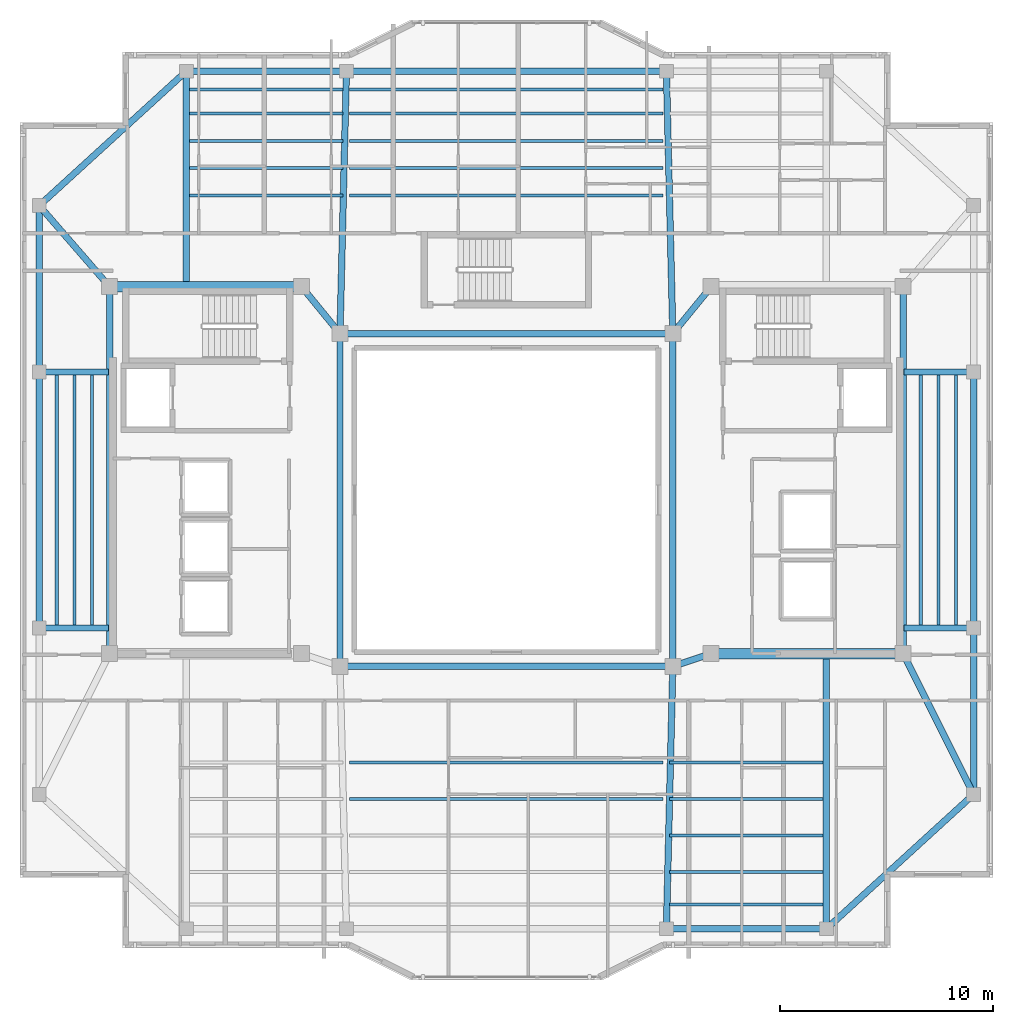
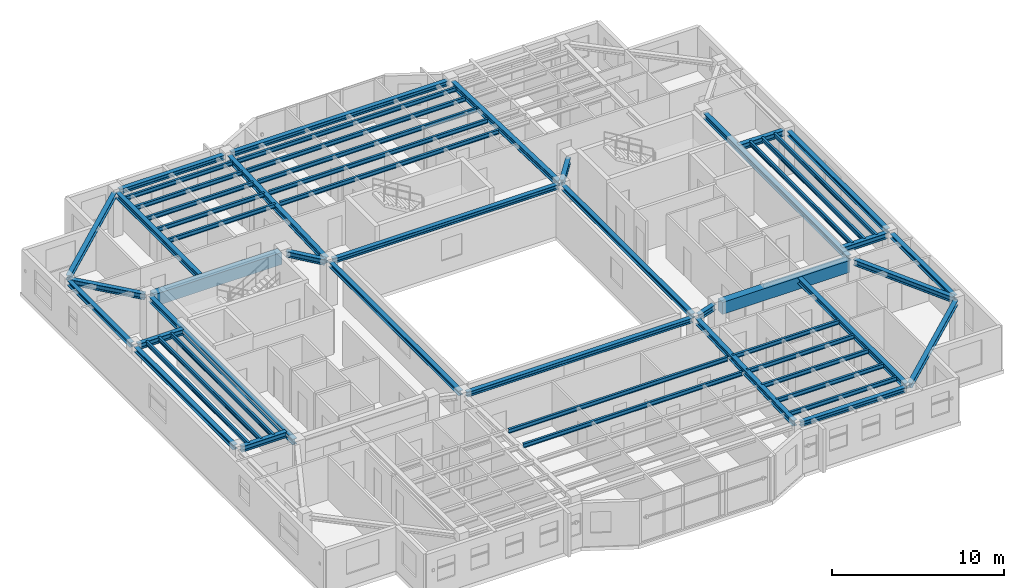
# One storey, part 3 of 14: 54 beams.
"""IFC4 building model written with IfcOpenShell, lengths in metres."""

from ifc_helpers import new_model, si_unit, direction, frame, origin, origin_2d, place, context, subcontext, project, spatial, rectangle, i_section, extrude, material, material_profile, profile_set, type_object, element, save


model = new_model("IFC4")

# Units and contexts
model_context = context("Model", 3, precision=1e-05, world=origin(), true_north=direction((0.0, 1.0)))
body_context = subcontext(model_context, "Body", "Model", "MODEL_VIEW")
ifc_project = project(units=[si_unit("LENGTHUNIT", "METRE"), si_unit("AREAUNIT", "SQUARE_METRE"), si_unit("VOLUMEUNIT", "CUBIC_METRE"), si_unit("PLANEANGLEUNIT", "RADIAN"), si_unit("MASSUNIT", "GRAM", prefix="KILO")], contexts=[model_context])

# Site, building, storey
site_placement = place(None, origin())
site = spatial("IfcSite", under=ifc_project, at=site_placement, CompositionType="ELEMENT")
building_placement = place(site_placement, origin())
building = spatial("IfcBuilding", under=site, at=building_placement, Name="Tarnavaz Court Tower", CompositionType="ELEMENT")
storey_placement = place(building_placement, frame((0.0, 0.0, 261.60009765625)))
storey = spatial("IfcBuildingStorey", under=building, at=storey_placement, Name="L71", CompositionType="ELEMENT", Elevation=261.60009765625)

# Beams
ifc_material_1 = material(Name="Concrete C50/60", Category="concrete")
ifc_material_profile_1 = material_profile(ifc_material_1, rectangle(XDim=0.5, YDim=0.85009765625, at=origin_2d()), Name="RC 500X850")
ifc_profile_set_1 = profile_set([ifc_material_profile_1], Name="Concrete C50/60")
beam_type_1 = type_object("IfcBeamType", Name="BM-CB850", PredefinedType="LINTEL", material=ifc_profile_set_1)
for number, where, z_axis, x_axis, name in (
    (1, (-18.3798828125, 10.0, 2.6748046875), (1.0, 0.0, 0.0), (0.0, 1.0, 0.0), "L71 Beam IN-CW-NO-CW-NI"),
    (2, (18.3798828125, -7.199951171875, 2.6748046875), (-1.0, 0.0, 0.0), (0.0, -1.0, 0.0), "L71 Beam IN-CE-SO-CE-SI"),
):
    element("IfcBeam", number, at=place(storey_placement, frame(where, z_axis=z_axis, x_axis=x_axis)), inside=storey, type_object=beam_type_1, Name=name, PredefinedType="LINTEL", context=body_context, shape_type="SweptSolid", body=[
        extrude(rectangle(XDim=0.5, YDim=0.85009765625, at=origin_2d()), origin(), (0.0, 0.0, 1.0), 8.559814453125),
    ])
ifc_material_2 = material(Name="Steel S355", Category="steel")
ifc_material_profile_2 = material_profile(ifc_material_2, i_section(OverallWidth=0.300048828125, OverallDepth=0.39990234375, WebThickness=0.013427734375, FlangeThickness=0.02392578125, FilletRadius=0.027099609375, at=origin_2d()), Name="HEB 400")
ifc_profile_set_2 = profile_set([ifc_material_profile_2], Name="Steel S355")
beam_type_2 = type_object("IfcBeamType", Name="BM-G-HEB400", PredefinedType="USERDEFINED", material=ifc_profile_set_2)
beam_1_placement = place(storey_placement, frame((9.391357421875, -7.26953125, 2.89990234375), z_axis=(-0.948666544706, -0.316278021615, 0.0), x_axis=(0.316278021615, -0.948666544706, 0.0)))
element("IfcBeam", 3, at=beam_1_placement, inside=storey, type_object=beam_type_2, Name="L71 Beam IN-CE-SI-IW-SE", ObjectType="GIRDER", PredefinedType="USERDEFINED", context=body_context, shape_type="SweptSolid", body=[
    extrude(i_section(OverallWidth=0.300048828125, OverallDepth=0.39990234375, WebThickness=0.013427734375, FlangeThickness=0.02392578125, FilletRadius=0.027099609375, at=origin_2d()), origin(), (0.0, 0.0, 1.0), 1.457275390625),
])
for number, where, z_axis, x_axis, name in (
    (4, (-9.460693359375, 9.82958984375, 2.89990234375), (0.633282058357, -0.773921077735, 0.0), (0.773921077735, 0.633282058357, 0.0), "L71 Beam IN-CW-NI-IW-NW"),
    (5, (9.460693359375, 9.82958984375, 2.89990234375), (-0.633282058357, -0.773921077735, 0.0), (0.773921077735, -0.633282058357, 0.0), "L71 Beam IN-CE-NI-IW-NE"),
):
    element("IfcBeam", number, at=place(storey_placement, frame(where, z_axis=z_axis, x_axis=x_axis)), inside=storey, type_object=beam_type_2, Name=name, ObjectType="GIRDER", PredefinedType="USERDEFINED", context=body_context, shape_type="SweptSolid", body=[
        extrude(i_section(OverallWidth=0.300048828125, OverallDepth=0.39990234375, WebThickness=0.013427734375, FlangeThickness=0.02392578125, FilletRadius=0.027099609375, at=origin_2d()), origin(), (0.0, 0.0, 1.0), 2.402587890625),
    ])
for number, where, z_axis, x_axis, name in (
    (6, (-18.60009765625, -6.97998046875, 2.89990234375), (0.0, 1.0, 0.0), (-1.0, 0.0, 0.0), "L71 Beam IN-CW-SO-CW-NO"),
    (7, (18.60009765625, -6.97998046875, 2.89990234375), (0.0, 1.0, 0.0), (-1.0, 0.0, 0.0), "L71 Beam IN-CE-SO-CE-NO"),
):
    element("IfcBeam", number, at=place(storey_placement, frame(where, z_axis=z_axis, x_axis=x_axis)), inside=storey, type_object=beam_type_2, Name=name, ObjectType="GIRDER", PredefinedType="USERDEFINED", context=body_context, shape_type="SweptSolid", body=[
        extrude(i_section(OverallWidth=0.300048828125, OverallDepth=0.39990234375, WebThickness=0.013427734375, FlangeThickness=0.02392578125, FilletRadius=0.027099609375, at=origin_2d()), origin(), (0.0, 0.0, 1.0), 16.760009765625),
    ])
beam_2_placement = place(storey_placement, frame((-15.0, 10.0400390625, 2.89990234375), z_axis=(0.0, 1.0, 0.0), x_axis=(-1.0, 0.0, 0.0)))
element("IfcBeam", 8, at=beam_2_placement, inside=storey, type_object=beam_type_2, Name="L71 Beam RG-01", ObjectType="GIRDER", PredefinedType="USERDEFINED", context=body_context, shape_type="SweptSolid", body=[
    extrude(i_section(OverallWidth=0.300048828125, OverallDepth=0.39990234375, WebThickness=0.013427734375, FlangeThickness=0.02392578125, FilletRadius=0.027099609375, at=origin_2d()), origin(), (0.0, 0.0, 1.0), 9.83984375),
])
for number, where, z_axis, x_axis, name in (
    (9, (-7.794677734375, 8.02001953125, 2.89990234375), (0.024386002211, 0.99970261723, 0.0), (-0.99970261723, 0.024386002211, 0.0), "L71 Beam RG-02"),
    (10, (7.794677734375, 8.02001953125, 2.89990234375), (-0.024386002211, 0.99970261723, 0.0), (-0.99970261723, -0.024386002211, 0.0), "L71 Beam RG-03"),
    (11, (7.794677734375, -8.02001953125, 2.89990234375), (-0.024386002211, -0.99970261723, 0.0), (0.99970261723, -0.024386002211, 0.0), "L71 Beam RG-07"),
):
    element("IfcBeam", number, at=place(storey_placement, frame(where, z_axis=z_axis, x_axis=x_axis)), inside=storey, type_object=beam_type_2, Name=name, ObjectType="GIRDER", PredefinedType="USERDEFINED", context=body_context, shape_type="SweptSolid", body=[
        extrude(i_section(OverallWidth=0.300048828125, OverallDepth=0.39990234375, WebThickness=0.013427734375, FlangeThickness=0.02392578125, FilletRadius=0.027099609375, at=origin_2d()), origin(), (0.0, 0.0, 1.0), 11.863525390625),
    ])
beam_3_placement = place(storey_placement, frame((15.0, -7.239990234375, 2.89990234375), z_axis=(0.0, -1.0, 0.0), x_axis=(1.0, 0.0, 0.0)))
element("IfcBeam", 12, at=beam_3_placement, inside=storey, type_object=beam_type_2, Name="L71 Beam RG-08", ObjectType="GIRDER", PredefinedType="USERDEFINED", context=body_context, shape_type="SweptSolid", body=[
    extrude(i_section(OverallWidth=0.300048828125, OverallDepth=0.39990234375, WebThickness=0.013427734375, FlangeThickness=0.02392578125, FilletRadius=0.027099609375, at=origin_2d()), origin(), (0.0, 0.0, 1.0), 12.639892578125),
])
for number, where, z_axis, x_axis, name in (
    (13, (18.639892578125, -6.0, 2.89990234375), (1.0, 0.0, 0.0), (0.0, 1.0, 0.0), "L71 Beam RG-09"),
    (14, (18.639892578125, 6.0, 2.89990234375), (1.0, 0.0, 0.0), (0.0, 1.0, 0.0), "L71 Beam RG-10"),
):
    element("IfcBeam", number, at=place(storey_placement, frame(where, z_axis=z_axis, x_axis=x_axis)), inside=storey, type_object=beam_type_2, Name=name, ObjectType="GIRDER", PredefinedType="USERDEFINED", context=body_context, shape_type="SweptSolid", body=[
        extrude(i_section(OverallWidth=0.300048828125, OverallDepth=0.39990234375, WebThickness=0.013427734375, FlangeThickness=0.02392578125, FilletRadius=0.027099609375, at=origin_2d()), origin(), (0.0, 0.0, 1.0), 3.0400390625),
    ])
beam_4_placement = place(storey_placement, frame((18.698486328125, -7.396728515625, 2.89990234375), z_axis=(0.447185448279, -0.894441264057, 0.0), x_axis=(0.894441264057, 0.447185448279, 0.0)))
element("IfcBeam", 15, at=beam_4_placement, inside=storey, type_object=beam_type_2, Name="L71 Beam RG-11", ObjectType="GIRDER", PredefinedType="USERDEFINED", context=body_context, shape_type="SweptSolid", body=[
    extrude(i_section(OverallWidth=0.300048828125, OverallDepth=0.39990234375, WebThickness=0.013427734375, FlangeThickness=0.02392578125, FilletRadius=0.027099609375, at=origin_2d()), origin(), (0.0, 0.0, 1.0), 6.93896484375),
])
for number, where, z_axis, x_axis, name in (
    (16, (-18.639892578125, -6.0, 2.89990234375), (-1.0, 0.0, 0.0), (0.0, -1.0, 0.0), "L71 Beam RG-13"),
    (17, (-18.639892578125, 6.0, 2.89990234375), (-1.0, 0.0, 0.0), (0.0, -1.0, 0.0), "L71 Beam RG-14"),
):
    element("IfcBeam", number, at=place(storey_placement, frame(where, z_axis=z_axis, x_axis=x_axis)), inside=storey, type_object=beam_type_2, Name=name, ObjectType="GIRDER", PredefinedType="USERDEFINED", context=body_context, shape_type="SweptSolid", body=[
        extrude(i_section(OverallWidth=0.300048828125, OverallDepth=0.39990234375, WebThickness=0.013427734375, FlangeThickness=0.02392578125, FilletRadius=0.027099609375, at=origin_2d()), origin(), (0.0, 0.0, 1.0), 3.0400390625),
    ])
beam_5_placement = place(storey_placement, frame((-18.744384765625, 10.166015625, 2.89990234375), z_axis=(-0.65565475567, 0.755060819648, 0.0), x_axis=(-0.755060819648, -0.65565475567, 0.0)))
element("IfcBeam", 18, at=beam_5_placement, inside=storey, type_object=beam_type_2, Name="L71 Beam RG-16", ObjectType="GIRDER", PredefinedType="USERDEFINED", context=body_context, shape_type="SweptSolid", body=[
    extrude(i_section(OverallWidth=0.300048828125, OverallDepth=0.39990234375, WebThickness=0.013427734375, FlangeThickness=0.02392578125, FilletRadius=0.027099609375, at=origin_2d()), origin(), (0.0, 0.0, 1.0), 4.5927734375),
])
ifc_material_profile_3 = material_profile(ifc_material_2, i_section(OverallWidth=0.14990234375, OverallDepth=0.300048828125, WebThickness=0.007080078125, FlangeThickness=0.0107421875, FilletRadius=0.014892578125, at=origin_2d()), Name="IPE 300")
ifc_profile_set_3 = profile_set([ifc_material_profile_3], Name="Steel S355")
beam_type_3 = type_object("IfcBeamType", Name="BM-J-IPE300", PredefinedType="JOIST", material=ifc_profile_set_3)
beam_6_placement = place(storey_placement, frame((-14.85009765625, 14.278076171875, 2.949951171875), z_axis=(1.0, 0.0, 0.0), x_axis=(0.0, 1.0, 0.0)))
element("IfcBeam", 19, at=beam_6_placement, inside=storey, type_object=beam_type_3, Name="L71 Beam JN1-1", PredefinedType="JOIST", context=body_context, shape_type="SweptSolid", body=[
    extrude(i_section(OverallWidth=0.14990234375, OverallDepth=0.300048828125, WebThickness=0.007080078125, FlangeThickness=0.0107421875, FilletRadius=0.014892578125, at=origin_2d()), origin(), (0.0, 0.0, 1.0), 7.2001953125),
])
for number, where, z_axis, x_axis, name in (
    (20, (-7.35009765625, 14.278076171875, 2.949951171875), (1.0, 0.0, 0.0), (0.0, 1.0, 0.0), "L71 Beam JN1-2"),
    (21, (-7.35009765625, -12.31005859375, 2.949951171875), (1.0, 0.0, 0.0), (0.0, 1.0, 0.0), "L71 Beam JS1-2"),
):
    element("IfcBeam", number, at=place(storey_placement, frame(where, z_axis=z_axis, x_axis=x_axis)), inside=storey, type_object=beam_type_3, Name=name, PredefinedType="JOIST", context=body_context, shape_type="SweptSolid", body=[
        extrude(i_section(OverallWidth=0.14990234375, OverallDepth=0.300048828125, WebThickness=0.007080078125, FlangeThickness=0.0107421875, FilletRadius=0.014892578125, at=origin_2d()), origin(), (0.0, 0.0, 1.0), 14.7001953125),
    ])
for number, where, z_axis, x_axis, name in (
    (22, (7.64990234375, -12.31005859375, 2.949951171875), (1.0, 0.0, 0.0), (0.0, 1.0, 0.0), "L71 Beam JS1-3"),
    (23, (-14.85009765625, 15.555908203125, 2.949951171875), (1.0, 0.0, 0.0), (0.0, 1.0, 0.0), "L71 Beam JN2-1"),
):
    element("IfcBeam", number, at=place(storey_placement, frame(where, z_axis=z_axis, x_axis=x_axis)), inside=storey, type_object=beam_type_3, Name=name, PredefinedType="JOIST", context=body_context, shape_type="SweptSolid", body=[
        extrude(i_section(OverallWidth=0.14990234375, OverallDepth=0.300048828125, WebThickness=0.007080078125, FlangeThickness=0.0107421875, FilletRadius=0.014892578125, at=origin_2d()), origin(), (0.0, 0.0, 1.0), 7.2001953125),
    ])
for number, where, z_axis, x_axis, name in (
    (24, (-7.35009765625, 15.555908203125, 2.949951171875), (1.0, 0.0, 0.0), (0.0, 1.0, 0.0), "L71 Beam JN2-2"),
    (25, (-7.35009765625, -14.02001953125, 2.949951171875), (1.0, 0.0, 0.0), (0.0, 1.0, 0.0), "L71 Beam JS2-2"),
):
    element("IfcBeam", number, at=place(storey_placement, frame(where, z_axis=z_axis, x_axis=x_axis)), inside=storey, type_object=beam_type_3, Name=name, PredefinedType="JOIST", context=body_context, shape_type="SweptSolid", body=[
        extrude(i_section(OverallWidth=0.14990234375, OverallDepth=0.300048828125, WebThickness=0.007080078125, FlangeThickness=0.0107421875, FilletRadius=0.014892578125, at=origin_2d()), origin(), (0.0, 0.0, 1.0), 14.7001953125),
    ])
for number, where, z_axis, x_axis, name in (
    (26, (7.64990234375, -14.02001953125, 2.949951171875), (1.0, 0.0, 0.0), (0.0, 1.0, 0.0), "L71 Beam JS2-3"),
    (27, (-14.85009765625, 16.833984375, 2.949951171875), (1.0, 0.0, 0.0), (0.0, 1.0, 0.0), "L71 Beam JN3-1"),
):
    element("IfcBeam", number, at=place(storey_placement, frame(where, z_axis=z_axis, x_axis=x_axis)), inside=storey, type_object=beam_type_3, Name=name, PredefinedType="JOIST", context=body_context, shape_type="SweptSolid", body=[
        extrude(i_section(OverallWidth=0.14990234375, OverallDepth=0.300048828125, WebThickness=0.007080078125, FlangeThickness=0.0107421875, FilletRadius=0.014892578125, at=origin_2d()), origin(), (0.0, 0.0, 1.0), 7.2001953125),
    ])
beam_7_placement = place(storey_placement, frame((-7.35009765625, 16.833984375, 2.949951171875), z_axis=(1.0, 0.0, 0.0), x_axis=(0.0, 1.0, 0.0)))
element("IfcBeam", 28, at=beam_7_placement, inside=storey, type_object=beam_type_3, Name="L71 Beam JN3-2", PredefinedType="JOIST", context=body_context, shape_type="SweptSolid", body=[
    extrude(i_section(OverallWidth=0.14990234375, OverallDepth=0.300048828125, WebThickness=0.007080078125, FlangeThickness=0.0107421875, FilletRadius=0.014892578125, at=origin_2d()), origin(), (0.0, 0.0, 1.0), 14.7001953125),
])
for number, where, z_axis, x_axis, name in (
    (29, (7.64990234375, -15.72998046875, 2.949951171875), (1.0, 0.0, 0.0), (0.0, 1.0, 0.0), "L71 Beam JS3-3"),
    (30, (-14.85009765625, 18.112060546875, 2.949951171875), (1.0, 0.0, 0.0), (0.0, 1.0, 0.0), "L71 Beam JN4-1"),
):
    element("IfcBeam", number, at=place(storey_placement, frame(where, z_axis=z_axis, x_axis=x_axis)), inside=storey, type_object=beam_type_3, Name=name, PredefinedType="JOIST", context=body_context, shape_type="SweptSolid", body=[
        extrude(i_section(OverallWidth=0.14990234375, OverallDepth=0.300048828125, WebThickness=0.007080078125, FlangeThickness=0.0107421875, FilletRadius=0.014892578125, at=origin_2d()), origin(), (0.0, 0.0, 1.0), 7.2001953125),
    ])
beam_8_placement = place(storey_placement, frame((-7.35009765625, 18.112060546875, 2.949951171875), z_axis=(1.0, 0.0, 0.0), x_axis=(0.0, 1.0, 0.0)))
element("IfcBeam", 31, at=beam_8_placement, inside=storey, type_object=beam_type_3, Name="L71 Beam JN4-2", PredefinedType="JOIST", context=body_context, shape_type="SweptSolid", body=[
    extrude(i_section(OverallWidth=0.14990234375, OverallDepth=0.300048828125, WebThickness=0.007080078125, FlangeThickness=0.0107421875, FilletRadius=0.014892578125, at=origin_2d()), origin(), (0.0, 0.0, 1.0), 14.7001953125),
])
for number, where, z_axis, x_axis, name in (
    (32, (7.64990234375, -17.43994140625, 2.949951171875), (1.0, 0.0, 0.0), (0.0, 1.0, 0.0), "L71 Beam JS4-3"),
    (33, (-14.85009765625, 19.248046875, 2.949951171875), (1.0, 0.0, 0.0), (0.0, 1.0, 0.0), "L71 Beam JN5-1"),
):
    element("IfcBeam", number, at=place(storey_placement, frame(where, z_axis=z_axis, x_axis=x_axis)), inside=storey, type_object=beam_type_3, Name=name, PredefinedType="JOIST", context=body_context, shape_type="SweptSolid", body=[
        extrude(i_section(OverallWidth=0.14990234375, OverallDepth=0.300048828125, WebThickness=0.007080078125, FlangeThickness=0.0107421875, FilletRadius=0.014892578125, at=origin_2d()), origin(), (0.0, 0.0, 1.0), 7.2001953125),
    ])
beam_9_placement = place(storey_placement, frame((-7.35009765625, 19.248046875, 2.949951171875), z_axis=(1.0, 0.0, 0.0), x_axis=(0.0, 1.0, 0.0)))
element("IfcBeam", 34, at=beam_9_placement, inside=storey, type_object=beam_type_3, Name="L71 Beam JN5-2", PredefinedType="JOIST", context=body_context, shape_type="SweptSolid", body=[
    extrude(i_section(OverallWidth=0.14990234375, OverallDepth=0.300048828125, WebThickness=0.007080078125, FlangeThickness=0.0107421875, FilletRadius=0.014892578125, at=origin_2d()), origin(), (0.0, 0.0, 1.0), 14.7001953125),
])
beam_10_placement = place(storey_placement, frame((7.64990234375, -18.9599609375, 2.949951171875), z_axis=(1.0, 0.0, 0.0), x_axis=(0.0, 1.0, 0.0)))
element("IfcBeam", 35, at=beam_10_placement, inside=storey, type_object=beam_type_3, Name="L71 Beam JS5-3", PredefinedType="JOIST", context=body_context, shape_type="SweptSolid", body=[
    extrude(i_section(OverallWidth=0.14990234375, OverallDepth=0.300048828125, WebThickness=0.007080078125, FlangeThickness=0.0107421875, FilletRadius=0.014892578125, at=origin_2d()), origin(), (0.0, 0.0, 1.0), 7.2001953125),
])
for number, where, z_axis, x_axis, name in (
    (36, (19.425048828125, -5.9599609375, 2.949951171875), (0.0, 1.0, 0.0), (-1.0, 0.0, 0.0), "L71 Beam JE1"),
    (37, (-19.425048828125, -5.9599609375, 2.949951171875), (0.0, 1.0, 0.0), (-1.0, 0.0, 0.0), "L71 Beam JW1"),
    (38, (20.25, -5.9599609375, 2.949951171875), (0.0, 1.0, 0.0), (-1.0, 0.0, 0.0), "L71 Beam JE2"),
    (39, (-20.25, -5.9599609375, 2.949951171875), (0.0, 1.0, 0.0), (-1.0, 0.0, 0.0), "L71 Beam JW2"),
    (40, (21.074951171875, -5.9599609375, 2.949951171875), (0.0, 1.0, 0.0), (-1.0, 0.0, 0.0), "L71 Beam JE3"),
    (41, (-21.074951171875, -5.9599609375, 2.949951171875), (0.0, 1.0, 0.0), (-1.0, 0.0, 0.0), "L71 Beam JW3"),
):
    element("IfcBeam", number, at=place(storey_placement, frame(where, z_axis=z_axis, x_axis=x_axis)), inside=storey, type_object=beam_type_3, Name=name, PredefinedType="JOIST", context=body_context, shape_type="SweptSolid", body=[
        extrude(i_section(OverallWidth=0.14990234375, OverallDepth=0.300048828125, WebThickness=0.007080078125, FlangeThickness=0.0107421875, FilletRadius=0.014892578125, at=origin_2d()), origin(), (0.0, 0.0, 1.0), 11.919921875),
    ])
ifc_material_profile_4 = material_profile(ifc_material_2, i_section(OverallWidth=0.300048828125, OverallDepth=0.330078125, WebThickness=0.009521484375, FlangeThickness=0.0166015625, FilletRadius=0.027099609375, at=origin_2d()), Name="HEA 340")
ifc_profile_set_4 = profile_set([ifc_material_profile_4], Name="Steel S355")
beam_type_4 = type_object("IfcBeamType", Name="BM-SP-HEA340", PredefinedType="BEAM", material=ifc_profile_set_4)
for number, where, z_axis, x_axis, name in (
    (42, (-7.580078125, -7.800048828125, 2.934814453125), (1.0, 0.0, 0.0), (0.0, 1.0, 0.0), "L71 Beam IN-IW-SW-IW-SE"),
    (43, (-7.580078125, 7.800048828125, 2.934814453125), (1.0, 0.0, 0.0), (0.0, 1.0, 0.0), "L71 Beam IN-IW-NW-IW-NE"),
    (44, (-7.800048828125, -7.580078125, 2.934814453125), (0.0, 1.0, 0.0), (-1.0, 0.0, 0.0), "L71 Beam IN-IW-SW-IW-NW"),
    (45, (7.800048828125, -7.580078125, 2.934814453125), (0.0, 1.0, 0.0), (-1.0, 0.0, 0.0), "L71 Beam IN-IW-SE-IW-NE"),
):
    element("IfcBeam", number, at=place(storey_placement, frame(where, z_axis=z_axis, x_axis=x_axis)), inside=storey, type_object=beam_type_4, Name=name, PredefinedType="BEAM", context=body_context, shape_type="SweptSolid", body=[
        extrude(i_section(OverallWidth=0.300048828125, OverallDepth=0.330078125, WebThickness=0.009521484375, FlangeThickness=0.0166015625, FilletRadius=0.027099609375, at=origin_2d()), origin(), (0.0, 0.0, 1.0), 15.16015625),
    ])
beam_11_placement = place(storey_placement, frame((-14.780029296875, 20.10009765625, 2.934814453125), z_axis=(1.0, 0.0, 0.0), x_axis=(0.0, 1.0, 0.0)))
element("IfcBeam", 46, at=beam_11_placement, inside=storey, type_object=beam_type_4, Name="L71 Beam PR-PN-1-PN-2", PredefinedType="BEAM", context=body_context, shape_type="SweptSolid", body=[
    extrude(i_section(OverallWidth=0.300048828125, OverallDepth=0.330078125, WebThickness=0.009521484375, FlangeThickness=0.0166015625, FilletRadius=0.027099609375, at=origin_2d()), origin(), (0.0, 0.0, 1.0), 7.06005859375),
])
beam_12_placement = place(storey_placement, frame((-7.280029296875, 20.10009765625, 2.934814453125), z_axis=(1.0, 0.0, 0.0), x_axis=(0.0, 1.0, 0.0)))
element("IfcBeam", 47, at=beam_12_placement, inside=storey, type_object=beam_type_4, Name="L71 Beam PR-PN-2-PN-3", PredefinedType="BEAM", context=body_context, shape_type="SweptSolid", body=[
    extrude(i_section(OverallWidth=0.300048828125, OverallDepth=0.330078125, WebThickness=0.009521484375, FlangeThickness=0.0166015625, FilletRadius=0.027099609375, at=origin_2d()), origin(), (0.0, 0.0, 1.0), 14.56005859375),
])
beam_13_placement = place(storey_placement, frame((7.719970703125, -20.10009765625, 2.934814453125), z_axis=(1.0, 0.0, 0.0), x_axis=(0.0, 1.0, 0.0)))
element("IfcBeam", 48, at=beam_13_placement, inside=storey, type_object=beam_type_4, Name="L71 Beam PR-PS-3-PS-4", PredefinedType="BEAM", context=body_context, shape_type="SweptSolid", body=[
    extrude(i_section(OverallWidth=0.300048828125, OverallDepth=0.330078125, WebThickness=0.009521484375, FlangeThickness=0.0166015625, FilletRadius=0.027099609375, at=origin_2d()), origin(), (0.0, 0.0, 1.0), 7.06005859375),
])
beam_14_placement = place(storey_placement, frame((21.89990234375, -13.580078125, 2.934814453125), z_axis=(0.0, 1.0, 0.0), x_axis=(-1.0, 0.0, 0.0)))
element("IfcBeam", 49, at=beam_14_placement, inside=storey, type_object=beam_type_4, Name="L71 Beam PR-PE-1-PE-2", PredefinedType="BEAM", context=body_context, shape_type="SweptSolid", body=[
    extrude(i_section(OverallWidth=0.300048828125, OverallDepth=0.330078125, WebThickness=0.009521484375, FlangeThickness=0.0166015625, FilletRadius=0.027099609375, at=origin_2d()), origin(), (0.0, 0.0, 1.0), 7.360107421875),
])
for number, where, z_axis, x_axis, name in (
    (50, (21.89990234375, -5.780029296875, 2.934814453125), (0.0, 1.0, 0.0), (-1.0, 0.0, 0.0), "L71 Beam PR-PE-2-PE-3"),
    (51, (-21.89990234375, -5.780029296875, 2.934814453125), (0.0, 1.0, 0.0), (-1.0, 0.0, 0.0), "L71 Beam PR-PW-2-PW-3"),
):
    element("IfcBeam", number, at=place(storey_placement, frame(where, z_axis=z_axis, x_axis=x_axis)), inside=storey, type_object=beam_type_4, Name=name, PredefinedType="BEAM", context=body_context, shape_type="SweptSolid", body=[
        extrude(i_section(OverallWidth=0.300048828125, OverallDepth=0.330078125, WebThickness=0.009521484375, FlangeThickness=0.0166015625, FilletRadius=0.027099609375, at=origin_2d()), origin(), (0.0, 0.0, 1.0), 11.56005859375),
    ])
beam_15_placement = place(storey_placement, frame((-21.89990234375, 6.219970703125, 2.934814453125), z_axis=(0.0, 1.0, 0.0), x_axis=(-1.0, 0.0, 0.0)))
element("IfcBeam", 52, at=beam_15_placement, inside=storey, type_object=beam_type_4, Name="L71 Beam PR-PW-3-PW-4", PredefinedType="BEAM", context=body_context, shape_type="SweptSolid", body=[
    extrude(i_section(OverallWidth=0.300048828125, OverallDepth=0.330078125, WebThickness=0.009521484375, FlangeThickness=0.0166015625, FilletRadius=0.027099609375, at=origin_2d()), origin(), (0.0, 0.0, 1.0), 7.360107421875),
])
for number, where, z_axis, x_axis, name in (
    (53, (21.737548828125, -13.9482421875, 2.934814453125), (-0.738474214476, -0.674281717499, 0.0), (0.674281717499, -0.738474214476, 0.0), "L71 Beam PR-PE-1-PS-4"),
    (54, (-21.737548828125, 13.9482421875, 2.934814453125), (0.738474214476, 0.674281717499, 0.0), (-0.674281717499, 0.738474214476, 0.0), "L71 Beam PR-PW-4-PN-1"),
):
    element("IfcBeam", number, at=place(storey_placement, frame(where, z_axis=z_axis, x_axis=x_axis)), inside=storey, type_object=beam_type_4, Name=name, PredefinedType="BEAM", context=body_context, shape_type="SweptSolid", body=[
        extrude(i_section(OverallWidth=0.300048828125, OverallDepth=0.330078125, WebThickness=0.009521484375, FlangeThickness=0.0166015625, FilletRadius=0.027099609375, at=origin_2d()), origin(), (0.0, 0.0, 1.0), 8.9033203125),
    ])

save(model, "model.ifc")
